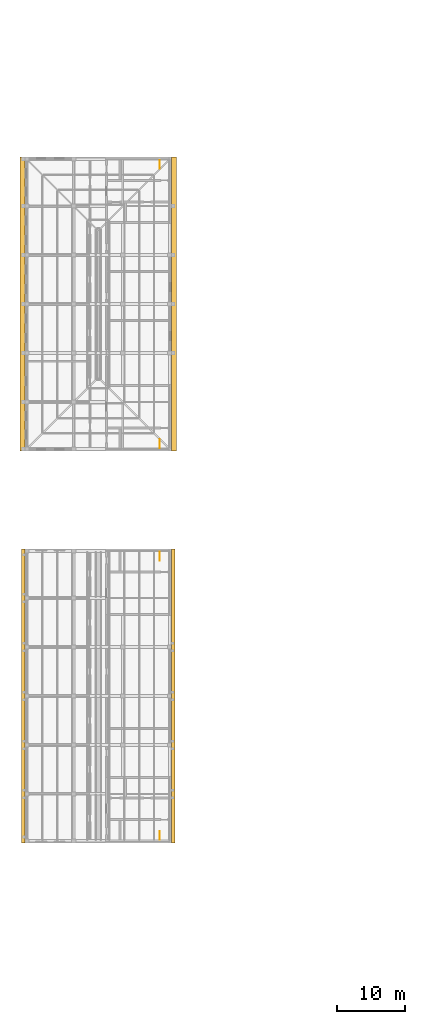
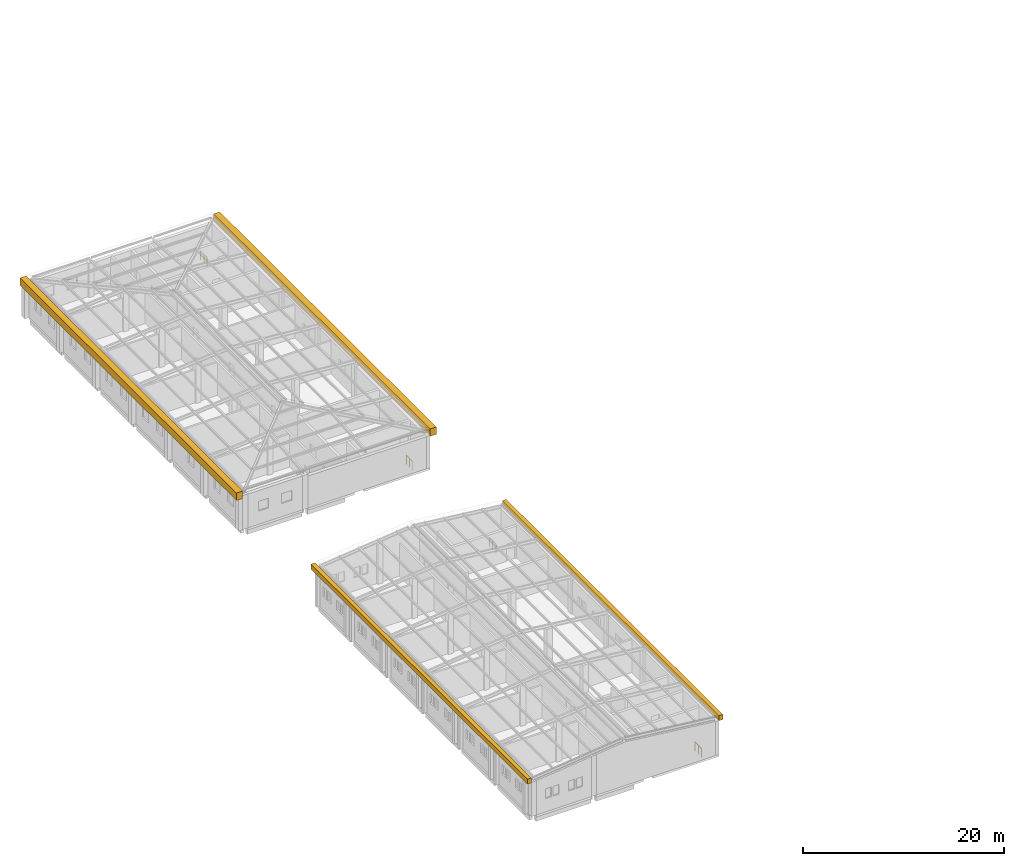
# One storey, part 46 of 48: 4 coverings, 4 railings.
"""IFC4 building model written with IfcOpenShell, lengths in metres."""

from ifc_helpers import new_model, si_unit, direction, frame, origin, origin_2d, place, context, subcontext, project, spatial, polyline, circle, outline, extrude, material, layer, layer_set, type_object, element, save


model = new_model("IFC4")

# Units and contexts
model_context = context("Model", 3, precision=1e-05, world=origin(), true_north=direction((0.0, 1.0)))
body_context = subcontext(model_context, "Body", "Model", "MODEL_VIEW")
ifc_project = project(units=[si_unit("LENGTHUNIT", "METRE"), si_unit("AREAUNIT", "SQUARE_METRE"), si_unit("VOLUMEUNIT", "CUBIC_METRE"), si_unit("PLANEANGLEUNIT", "RADIAN"), si_unit("MASSUNIT", "GRAM", prefix="KILO")], contexts=[model_context])

# Site, building, storey
site_placement = place(None, origin())
site = spatial("IfcSite", under=ifc_project, at=site_placement, CompositionType="ELEMENT")
building_placement = place(site_placement, origin())
building = spatial("IfcBuilding", under=site, at=building_placement, Name="Alderwick Market Hall", CompositionType="ELEMENT")
storey_placement = place(building_placement, frame((0.0, 0.0, 14.39990234375)))
storey = spatial("IfcBuildingStorey", under=building, at=storey_placement, Name="L02", CompositionType="ELEMENT", Elevation=14.39990234375)

# Coverings
ifc_material_1 = material(Name="Cast stone 5000 psi", Category="masonry")
ifc_layer_1 = layer(ifc_material_1, 0.699951171875)
ifc_layer_set_1 = layer_set([ifc_layer_1], Name="Cast stone 5000 psi")
covering_type_1 = type_object("IfcCoveringType", Name="B Cast Stone Cornice 700", PredefinedType="CLADDING", material=ifc_layer_set_1)
covering_1_placement = place(storey_placement, frame((0.0, 0.0, 3.800048828125)))
element("IfcCovering", 1, at=covering_1_placement, inside=storey, type_object=covering_type_1, Name="B.N.cornice.W", PredefinedType="CLADDING", context=body_context, shape_type="SweptSolid", body=[
    extrude(outline(polyline([(20.89990234375, 86.39990234375), (21.60009765625, 86.39990234375), (21.60009765625, 129.60009765625), (20.89990234375, 129.60009765625), (20.89990234375, 86.39990234375)])), origin(), (0.0, 0.0, 1.0), 0.900146484375),
])
covering_2_placement = place(storey_placement, frame((0.0, 0.0, 3.800048828125)))
element("IfcCovering", 2, at=covering_2_placement, inside=storey, type_object=covering_type_1, Name="B.N.cornice.E", PredefinedType="CLADDING", context=body_context, shape_type="SweptSolid", body=[
    extrude(outline(polyline([(43.199951171875, 86.39990234375), (43.89990234375, 86.39990234375), (43.89990234375, 129.60009765625), (43.199951171875, 129.60009765625), (43.199951171875, 86.39990234375)])), origin(), (0.0, 0.0, 1.0), 0.900146484375),
])
ifc_layer_2 = layer(ifc_material_1, 0.449951171875)
ifc_layer_set_2 = layer_set([ifc_layer_2], Name="Cast stone 5000 psi")
covering_type_2 = type_object("IfcCoveringType", Name="B Cast Stone Cornice Shallow 450", PredefinedType="CLADDING", material=ifc_layer_set_2)
covering_3_placement = place(storey_placement, frame((0.0, 0.0, 4.10009765625)))
element("IfcCovering", 3, at=covering_3_placement, inside=storey, type_object=covering_type_2, Name="B.S.cornice.W", PredefinedType="CLADDING", context=body_context, shape_type="SweptSolid", body=[
    extrude(outline(polyline([(21.14990234375, 28.800048828125), (21.60009765625, 28.800048828125), (21.60009765625, 72.0), (21.14990234375, 72.0), (21.14990234375, 28.800048828125)])), origin(), (0.0, 0.0, 1.0), 0.60009765625),
])
covering_4_placement = place(storey_placement, frame((0.0, 0.0, 4.10009765625)))
element("IfcCovering", 4, at=covering_4_placement, inside=storey, type_object=covering_type_2, Name="B.S.cornice.E", PredefinedType="CLADDING", context=body_context, shape_type="SweptSolid", body=[
    extrude(outline(polyline([(43.199951171875, 28.800048828125), (43.64990234375, 28.800048828125), (43.64990234375, 72.0), (43.199951171875, 72.0), (43.199951171875, 28.800048828125)])), origin(), (0.0, 0.0, 1.0), 0.60009765625),
])

# Railings
ifc_material_2 = material(Name="Steel ASTM A500 Grade C", Category="steel")
railing_type = type_object("IfcRailingType", Name="B Stair Guard 1100", PredefinedType="GUARDRAIL", material=ifc_material_2)
railing_1_placement = place(storey_placement, frame((41.449951171875, 129.14990234375, 0.0)))
element("IfcRailing", 5, at=railing_1_placement, inside=storey, type_object=railing_type, Name="Stair well guard", PredefinedType="GUARDRAIL", context=body_context, shape_type="SweptSolid", body=[
    extrude(circle(Radius=0.02392578125, at=origin_2d()), frame((0.0, 0.0, 1.076171875), z_axis=(0.0, -1.0, 0.0), x_axis=(1.0, 0.0, 0.0)), (0.0, 0.0, 1.0), 1.27001953125),
    extrude(circle(Radius=0.02099609375, at=origin_2d()), origin(), (0.0, 0.0, 1.0), 1.052001953125),
    extrude(circle(Radius=0.02099609375, at=origin_2d()), frame((0.0, -0.635009765625, 0.0)), (0.0, 0.0, 1.0), 1.052001953125),
    extrude(circle(Radius=0.02099609375, at=origin_2d()), frame((0.0, -1.27001953125, 0.0)), (0.0, 0.0, 1.0), 1.052001953125),
])
for number, where, name in (
    (6, (41.449951171875, 86.85009765625, 0.0), "Stair well guard"),
    (7, (41.449951171875, 29.25, 0.0), "Stair well guard"),
):
    element("IfcRailing", number, at=place(storey_placement, frame(where)), inside=storey, type_object=railing_type, Name=name, PredefinedType="GUARDRAIL", context=body_context, shape_type="SweptSolid", body=[
        extrude(circle(Radius=0.02392578125, at=origin_2d()), frame((0.0, 0.0, 1.076171875), z_axis=(0.0, 1.0, 0.0), x_axis=(-1.0, 0.0, 0.0)), (0.0, 0.0, 1.0), 1.27001953125),
        extrude(circle(Radius=0.02099609375, at=origin_2d()), origin(), (0.0, 0.0, 1.0), 1.052001953125),
        extrude(circle(Radius=0.02099609375, at=origin_2d()), frame((0.0, 0.635009765625, 0.0)), (0.0, 0.0, 1.0), 1.052001953125),
        extrude(circle(Radius=0.02099609375, at=origin_2d()), frame((0.0, 1.27001953125, 0.0)), (0.0, 0.0, 1.0), 1.052001953125),
    ])
railing_2_placement = place(storey_placement, frame((41.449951171875, 71.550048828125, 0.0)))
element("IfcRailing", 8, at=railing_2_placement, inside=storey, type_object=railing_type, Name="Stair well guard", PredefinedType="GUARDRAIL", context=body_context, shape_type="SweptSolid", body=[
    extrude(circle(Radius=0.02392578125, at=origin_2d()), frame((0.0, 0.0, 1.076171875), z_axis=(0.0, -1.0, 0.0), x_axis=(1.0, 0.0, 0.0)), (0.0, 0.0, 1.0), 1.27001953125),
    extrude(circle(Radius=0.02099609375, at=origin_2d()), origin(), (0.0, 0.0, 1.0), 1.052001953125),
    extrude(circle(Radius=0.02099609375, at=origin_2d()), frame((0.0, -0.635009765625, 0.0)), (0.0, 0.0, 1.0), 1.052001953125),
    extrude(circle(Radius=0.02099609375, at=origin_2d()), frame((0.0, -1.27001953125, 0.0)), (0.0, 0.0, 1.0), 1.052001953125),
])

save(model, "model.ifc")
